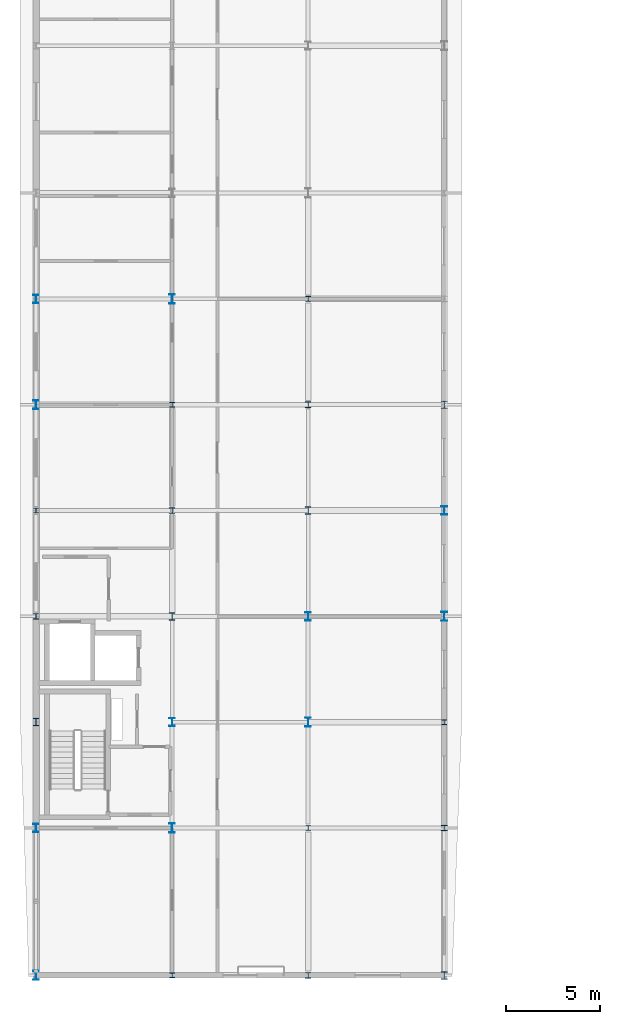
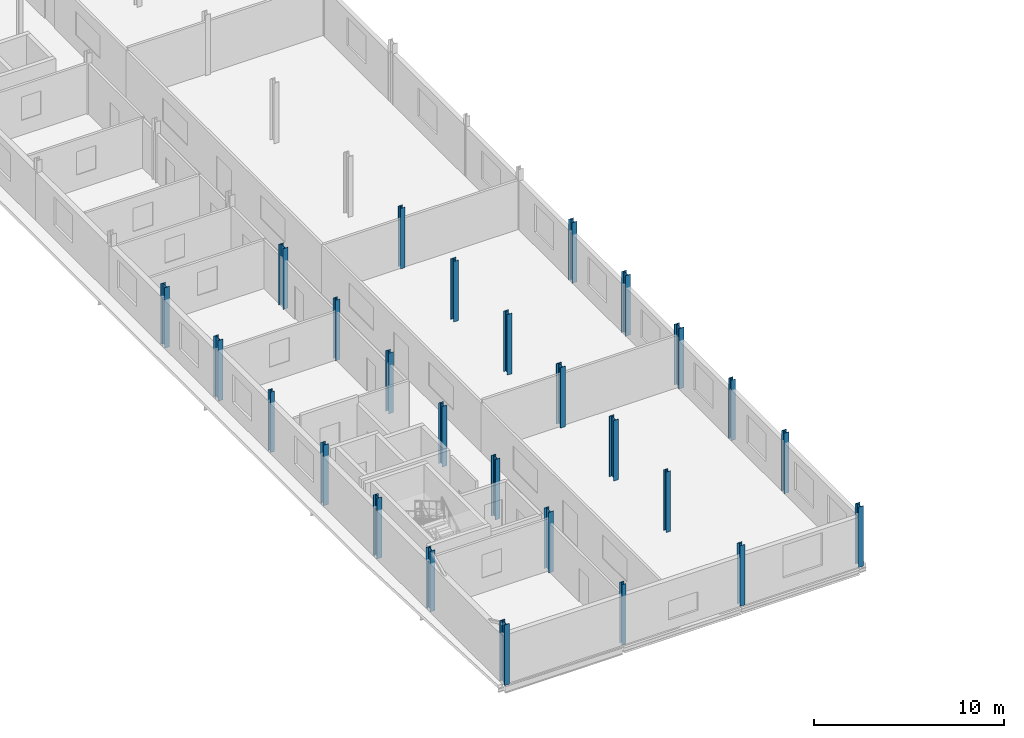
# One storey, part 1 of 17: 27 columns.
"""IFC4 building model written with IfcOpenShell, lengths in metres."""

from ifc_helpers import new_model, si_unit, direction, frame, origin, origin_2d, place, context, subcontext, project, spatial, i_section, extrude, material, material_profile, profile_set, type_object, element, save


model = new_model("IFC4")

# Units and contexts
model_context = context("Model", 3, precision=1e-05, world=origin(), true_north=direction((0.0, 1.0)))
body_context = subcontext(model_context, "Body", "Model", "MODEL_VIEW")
ifc_project = project(units=[si_unit("LENGTHUNIT", "METRE"), si_unit("AREAUNIT", "SQUARE_METRE"), si_unit("VOLUMEUNIT", "CUBIC_METRE"), si_unit("PLANEANGLEUNIT", "RADIAN"), si_unit("MASSUNIT", "GRAM", prefix="KILO")], contexts=[model_context])

# Site, building, storey
site_placement = place(None, origin())
site = spatial("IfcSite", under=ifc_project, at=site_placement, CompositionType="ELEMENT")
building_placement = place(site_placement, origin())
building = spatial("IfcBuilding", under=site, at=building_placement, Name="Vinh Khe Railworks Police Headquarters", CompositionType="ELEMENT")
storey_placement = place(building_placement, frame((0.0, 0.0, 24.89990234375)))
storey = spatial("IfcBuildingStorey", under=building, at=storey_placement, Name="L06", CompositionType="ELEMENT", Elevation=24.89990234375)

# Columns
ifc_material = material(Name="Steel S355JR", Category="steel")
ifc_material_profile_1 = material_profile(ifc_material, i_section(OverallWidth=0.300048828125, OverallDepth=0.389892578125, WebThickness=0.010986328125, FlangeThickness=0.01904296875, FilletRadius=0.027099609375, at=origin_2d()), Name="HEA 400")
ifc_profile_set_1 = profile_set([ifc_material_profile_1], Name="Steel S355JR")
column_type_1 = type_object("IfcColumnType", Name="Steel Column HEA 400", PredefinedType="COLUMN", material=ifc_profile_set_1)
for number, where, z_axis, x_axis, name in (
    (1, (0.60009765625, 30.800048828125, 0.0), (0.0, 0.0, 1.0), (1.0, 0.0, 0.0), "Column COL-L06-SC-15-0034"),
    (2, (7.800048828125, 36.39990234375, 0.0), (0.0, 0.0, 1.0), (1.0, 0.0, 0.0), "Column COL-L06-SC-15-0211"),
    (3, (15.0, 42.0, 0.0), (0.0, 0.0, 1.0), (1.0, 0.0, 0.0), "Column COL-L06-SC-15-0388"),
    (4, (22.199951171875, 17.39990234375, 0.0), (0.0, 0.0, 1.0), (1.0, 0.0, 0.0), "Column COL-L06-SC-15-0515"),
    (5, (22.199951171875, 47.60009765625, 0.0), (0.0, 0.0, 1.0), (1.0, 0.0, 0.0), "Column COL-L06-SC-15-0560"),
):
    element("IfcColumn", number, at=place(storey_placement, frame(where, z_axis=z_axis, x_axis=x_axis)), inside=storey, type_object=column_type_1, Name=name, PredefinedType="COLUMN", context=body_context, shape_type="SweptSolid", body=[
        extrude(i_section(OverallWidth=0.300048828125, OverallDepth=0.389892578125, WebThickness=0.010986328125, FlangeThickness=0.01904296875, FilletRadius=0.027099609375, at=origin_2d()), origin(), (0.0, 0.0, 1.0), 3.900146484375),
    ])
ifc_material_profile_2 = material_profile(ifc_material, i_section(OverallWidth=0.300048828125, OverallDepth=0.43994140625, WebThickness=0.011474609375, FlangeThickness=0.02099609375, FilletRadius=0.027099609375, at=origin_2d()), Name="HEA 450")
ifc_profile_set_2 = profile_set([ifc_material_profile_2], Name="Steel S355JR")
column_type_2 = type_object("IfcColumnType", Name="Steel Column HEA 450", PredefinedType="COLUMN", material=ifc_profile_set_2)
for number, where, z_axis, x_axis, name in (
    (6, (0.60009765625, 25.199951171875, 0.0), (0.0, 0.0, 1.0), (1.0, 0.0, 0.0), "Column COL-L06-SC-14-0024"),
    (7, (0.60009765625, 53.199951171875, 0.0), (0.0, 0.0, 1.0), (1.0, 0.0, 0.0), "Column COL-L06-SC-14-0074"),
    (8, (7.800048828125, 30.800048828125, 0.0), (0.0, 0.0, 1.0), (1.0, 0.0, 0.0), "Column COL-L06-SC-14-0201"),
    (9, (15.0, 36.39990234375, 0.0), (0.0, 0.0, 1.0), (1.0, 0.0, 0.0), "Column COL-L06-SC-14-0378"),
    (10, (22.199951171875, 42.0, 0.0), (0.0, 0.0, 1.0), (1.0, 0.0, 0.0), "Column COL-L06-SC-14-0551"),
):
    element("IfcColumn", number, at=place(storey_placement, frame(where, z_axis=z_axis, x_axis=x_axis)), inside=storey, type_object=column_type_2, Name=name, PredefinedType="COLUMN", context=body_context, shape_type="SweptSolid", body=[
        extrude(i_section(OverallWidth=0.300048828125, OverallDepth=0.43994140625, WebThickness=0.011474609375, FlangeThickness=0.02099609375, FilletRadius=0.027099609375, at=origin_2d()), origin(), (0.0, 0.0, 1.0), 3.900146484375),
    ])
ifc_material_profile_3 = material_profile(ifc_material, i_section(OverallWidth=0.300048828125, OverallDepth=0.489990234375, WebThickness=0.011962890625, FlangeThickness=0.02294921875, FilletRadius=0.027099609375, at=origin_2d()), Name="HEA 500")
ifc_profile_set_3 = profile_set([ifc_material_profile_3], Name="Steel S355JR")
column_type_3 = type_object("IfcColumnType", Name="Steel Column HEA 500", PredefinedType="COLUMN", material=ifc_profile_set_3)
for number, where, z_axis, x_axis, name in (
    (11, (0.60009765625, 17.39990234375, 0.0), (0.0, 0.0, 1.0), (1.0, 0.0, 0.0), "Column COL-L06-SC-13-0014"),
    (12, (0.60009765625, 47.60009765625, 0.0), (0.0, 0.0, 1.0), (1.0, 0.0, 0.0), "Column COL-L06-SC-13-0064"),
    (13, (7.800048828125, 25.199951171875, 0.0), (0.0, 0.0, 1.0), (1.0, 0.0, 0.0), "Column COL-L06-SC-13-0191"),
    (14, (7.800048828125, 53.199951171875, 0.0), (0.0, 0.0, 1.0), (1.0, 0.0, 0.0), "Column COL-L06-SC-13-0241"),
    (15, (15.0, 30.800048828125, 0.0), (0.0, 0.0, 1.0), (1.0, 0.0, 0.0), "Column COL-L06-SC-13-0368"),
    (16, (22.199951171875, 36.39990234375, 0.0), (0.0, 0.0, 1.0), (1.0, 0.0, 0.0), "Column COL-L06-SC-13-0542"),
):
    element("IfcColumn", number, at=place(storey_placement, frame(where, z_axis=z_axis, x_axis=x_axis)), inside=storey, type_object=column_type_3, Name=name, PredefinedType="COLUMN", context=body_context, shape_type="SweptSolid", body=[
        extrude(i_section(OverallWidth=0.300048828125, OverallDepth=0.489990234375, WebThickness=0.011962890625, FlangeThickness=0.02294921875, FilletRadius=0.027099609375, at=origin_2d()), origin(), (0.0, 0.0, 1.0), 3.900146484375),
    ])
ifc_material_profile_4 = material_profile(ifc_material, i_section(OverallWidth=0.260009765625, OverallDepth=0.260009765625, WebThickness=0.010009765625, FlangeThickness=0.017578125, FilletRadius=0.02392578125, at=origin_2d()), Name="HEB 260")
ifc_profile_set_4 = profile_set([ifc_material_profile_4], Name="Steel S355JR")
column_type_4 = type_object("IfcColumnType", Name="Steel Column HEB 260", PredefinedType="COLUMN", material=ifc_profile_set_4)
for number, where, z_axis, x_axis, name in (
    (17, (0.60009765625, 42.0, 0.0), (0.0, 0.0, 1.0), (1.0, 0.0, 0.0), "Column COL-L06-SC-12-0054"),
    (18, (7.800048828125, 17.39990234375, 0.0), (0.0, 0.0, 1.0), (1.0, 0.0, 0.0), "Column COL-L06-SC-12-0181"),
    (19, (7.800048828125, 47.60009765625, 0.0), (0.0, 0.0, 1.0), (1.0, 0.0, 0.0), "Column COL-L06-SC-12-0231"),
    (20, (15.0, 25.199951171875, 0.0), (0.0, 0.0, 1.0), (1.0, 0.0, 0.0), "Column COL-L06-SC-12-0358"),
    (21, (15.0, 53.199951171875, 0.0), (0.0, 0.0, 1.0), (1.0, 0.0, 0.0), "Column COL-L06-SC-12-0408"),
    (22, (22.199951171875, 30.800048828125, 0.0), (0.0, 0.0, 1.0), (1.0, 0.0, 0.0), "Column COL-L06-SC-12-0533"),
):
    element("IfcColumn", number, at=place(storey_placement, frame(where, z_axis=z_axis, x_axis=x_axis)), inside=storey, type_object=column_type_4, Name=name, PredefinedType="COLUMN", context=body_context, shape_type="SweptSolid", body=[
        extrude(i_section(OverallWidth=0.260009765625, OverallDepth=0.260009765625, WebThickness=0.010009765625, FlangeThickness=0.017578125, FilletRadius=0.02392578125, at=origin_2d()), origin(), (0.0, 0.0, 1.0), 3.900146484375),
    ])
ifc_material_profile_5 = material_profile(ifc_material, i_section(OverallWidth=0.300048828125, OverallDepth=0.300048828125, WebThickness=0.010986328125, FlangeThickness=0.01904296875, FilletRadius=0.027099609375, at=origin_2d()), Name="HEB 300")
ifc_profile_set_5 = profile_set([ifc_material_profile_5], Name="Steel S355JR")
column_type_5 = type_object("IfcColumnType", Name="Steel Column HEB 300", PredefinedType="COLUMN", material=ifc_profile_set_5)
for number, where, z_axis, x_axis, name in (
    (23, (0.60009765625, 36.39990234375, 0.0), (0.0, 0.0, 1.0), (1.0, 0.0, 0.0), "Column COL-L06-SC-11-0044"),
    (24, (7.800048828125, 42.0, 0.0), (0.0, 0.0, 1.0), (1.0, 0.0, 0.0), "Column COL-L06-SC-11-0221"),
    (25, (15.0, 17.39990234375, 0.0), (0.0, 0.0, 1.0), (1.0, 0.0, 0.0), "Column COL-L06-SC-11-0348"),
    (26, (15.0, 47.60009765625, 0.0), (0.0, 0.0, 1.0), (1.0, 0.0, 0.0), "Column COL-L06-SC-11-0398"),
    (27, (22.199951171875, 25.199951171875, 0.0), (0.0, 0.0, 1.0), (1.0, 0.0, 0.0), "Column COL-L06-SC-11-0524"),
):
    element("IfcColumn", number, at=place(storey_placement, frame(where, z_axis=z_axis, x_axis=x_axis)), inside=storey, type_object=column_type_5, Name=name, PredefinedType="COLUMN", context=body_context, shape_type="SweptSolid", body=[
        extrude(i_section(OverallWidth=0.300048828125, OverallDepth=0.300048828125, WebThickness=0.010986328125, FlangeThickness=0.01904296875, FilletRadius=0.027099609375, at=origin_2d()), origin(), (0.0, 0.0, 1.0), 3.900146484375),
    ])

save(model, "model.ifc")
